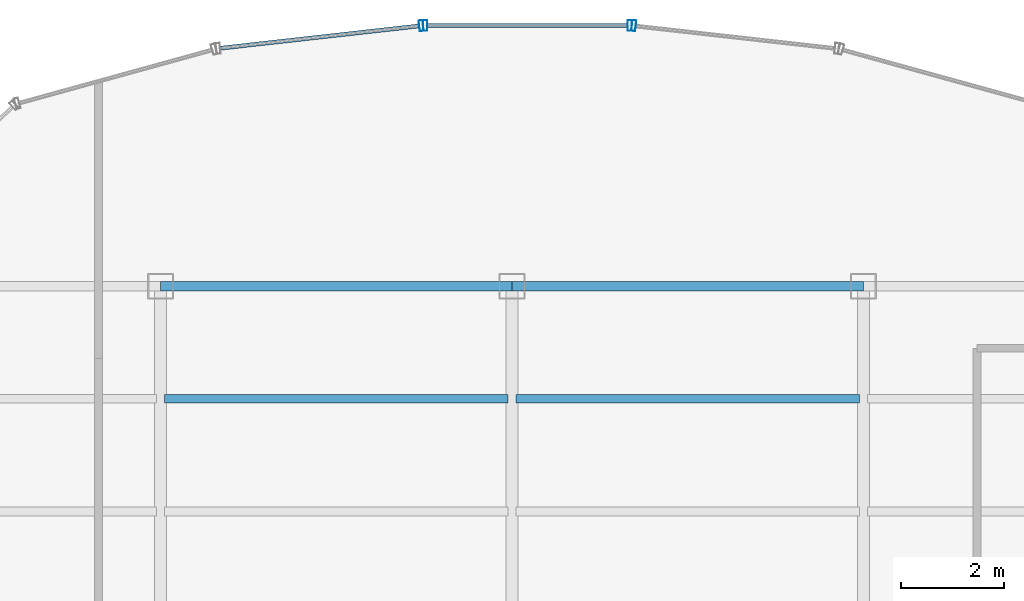
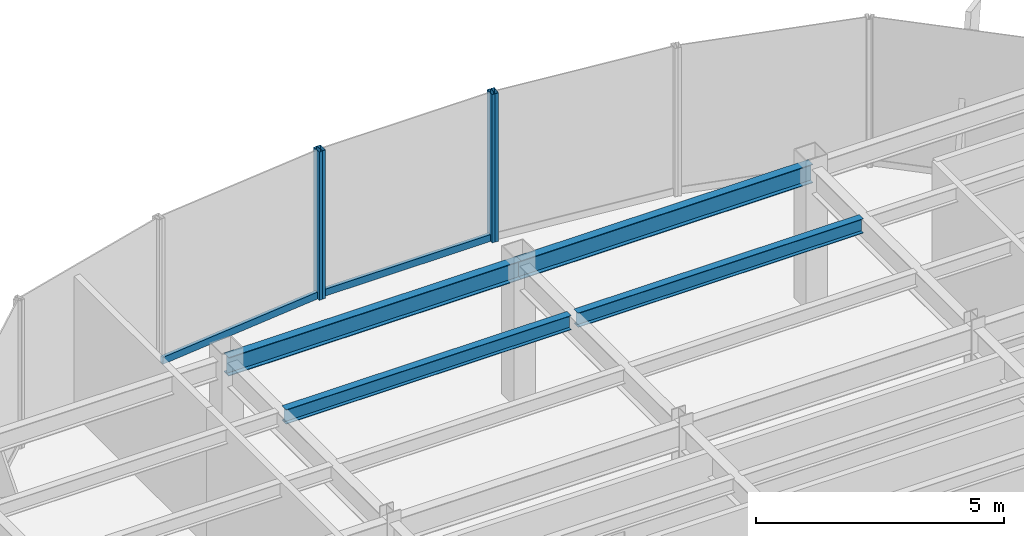
# One storey, part 13 of 22: 6 members, 4 beams, 3 elements without a shape of their own.
"""IFC4 building model written with IfcOpenShell, lengths in metres."""

from ifc_helpers import new_model, si_unit, derived_unit, direction, frame, origin, origin_2d, place, context, subcontext, project, spatial, hollow_rectangle, i_section, extrude, source, transform, mapped, material, material_profile, profile_set, type_object, element, aggregate, save


model = new_model("IFC4")

# Units and contexts
model_context = context("Model", 3, precision=1e-05, world=origin(), true_north=direction((0.0, 1.0)))
body_context = subcontext(model_context, "Body", "Model", "MODEL_VIEW")
ifc_project = project(units=[si_unit("LENGTHUNIT", "METRE"), si_unit("AREAUNIT", "SQUARE_METRE"), si_unit("VOLUMEUNIT", "CUBIC_METRE"), si_unit("PLANEANGLEUNIT", "RADIAN"), si_unit("MASSUNIT", "GRAM", prefix="KILO"), derived_unit("THERMALTRANSMITTANCEUNIT", [(si_unit("POWERUNIT", "WATT"), 1), (si_unit("LENGTHUNIT", "METRE"), -2), (si_unit("THERMODYNAMICTEMPERATUREUNIT", "KELVIN"), -1)])], contexts=[model_context])

# Site, building, storey
site_placement = place(None, origin())
site = spatial("IfcSite", under=ifc_project, at=site_placement, CompositionType="ELEMENT")
building_placement = place(site_placement, origin())
building = spatial("IfcBuilding", under=site, at=building_placement, Name="Skarnbrae Concourse Arena and Tower", CompositionType="ELEMENT")
storey_placement = place(building_placement, frame((0.0, 0.0, 199.550048828125)))
storey = spatial("IfcBuildingStorey", under=building, at=storey_placement, Name="L51", CompositionType="ELEMENT", Elevation=199.550048828125)

# Beams
ifc_material_1 = material(Name="Steel CSA G40.21 350W", Category="steel")
ifc_material_profile_1 = material_profile(ifc_material_1, i_section(OverallWidth=0.19091796875, OverallDepth=0.4599609375, WebThickness=0.010009765625, FlangeThickness=0.01611328125, at=origin_2d()), Name="W460X82")
ifc_profile_set_1 = profile_set([ifc_material_profile_1], Name="Steel CSA G40.21 350W")
beam_type_1 = type_object("IfcBeamType", Name="BM-SPAN-W460X82", PredefinedType="SPANDREL", material=ifc_profile_set_1)
shared_shape_1 = source(origin(), body_context, "Body", "SweptSolid", [
    extrude(i_section(OverallWidth=0.19091796875, OverallDepth=0.4599609375, WebThickness=0.010009765625, FlangeThickness=0.01611328125, at=origin_2d()), origin(), (0.0, 0.0, 1.0), 6.800048828125),
])
for number, where, z_axis, x_axis, name in (
    (1, (14.39990234375, 34.39990234375, 3.169921875), (1.0, 0.0, 0.0), (0.0, 1.0, 0.0), "L51 Perimeter spandrel Y34.4-2"),
    (2, (21.199951171875, 34.39990234375, 3.169921875), (1.0, 0.0, 0.0), (0.0, 1.0, 0.0), "L51 Perimeter spandrel Y34.4-3"),
):
    element("IfcBeam", number, at=place(storey_placement, frame(where, z_axis=z_axis, x_axis=x_axis)), inside=storey, type_object=beam_type_1, Name=name, PredefinedType="SPANDREL", context=body_context, shape_type="MappedRepresentation", body=[
        mapped(shared_shape_1, transform((0.0, 0.0, 0.0))),
    ])
ifc_material_profile_2 = material_profile(ifc_material_1, i_section(OverallWidth=0.1708984375, OverallDepth=0.35498046875, WebThickness=0.007080078125, FlangeThickness=0.01171875, at=origin_2d()), Name="W360X51")
ifc_profile_set_2 = profile_set([ifc_material_profile_2], Name="Steel CSA G40.21 350W")
beam_type_2 = type_object("IfcBeamType", Name="BM-JOIST-W360X51", PredefinedType="JOIST", material=ifc_profile_set_2)
shared_shape_2 = source(origin(), body_context, "Body", "SweptSolid", [
    extrude(i_section(OverallWidth=0.1708984375, OverallDepth=0.35498046875, WebThickness=0.007080078125, FlangeThickness=0.01171875, at=origin_2d()), origin(), (0.0, 0.0, 1.0), 6.64013671875),
])
beam_1_placement = place(storey_placement, frame((14.47998046875, 32.221923828125, 3.222412109375), z_axis=(1.0, 0.0, 0.0), x_axis=(0.0, 1.0, 0.0)))
element("IfcBeam", 3, at=beam_1_placement, inside=storey, type_object=beam_type_2, Name="L51 Secondary floor joist 3.2.2", PredefinedType="JOIST", context=body_context, shape_type="MappedRepresentation", body=[
    mapped(shared_shape_2, transform((0.0, 0.0, 0.0))),
])
shared_shape_3 = source(origin(), body_context, "Body", "SweptSolid", [
    extrude(i_section(OverallWidth=0.1708984375, OverallDepth=0.35498046875, WebThickness=0.007080078125, FlangeThickness=0.01171875, at=origin_2d()), origin(), (0.0, 0.0, 1.0), 6.639892578125),
])
beam_2_placement = place(storey_placement, frame((21.280029296875, 32.221923828125, 3.222412109375), z_axis=(1.0, 0.0, 0.0), x_axis=(0.0, 1.0, 0.0)))
element("IfcBeam", 4, at=beam_2_placement, inside=storey, type_object=beam_type_2, Name="L51 Secondary floor joist 3.2.3", PredefinedType="JOIST", context=body_context, shape_type="MappedRepresentation", body=[
    mapped(shared_shape_3, transform((0.0, 0.0, 0.0))),
])

# Curtain wall, member
ifc_material_2 = material(Name="Bronze anodised aluminium 6063-T6", Category="aluminium")
curtain_wall_type = type_object("IfcCurtainWallType", Name="CW-SYS-03-PORTAL", PredefinedType="USERDEFINED", material=ifc_material_2)
curtain_wall_1_placement = place(storey_placement, origin())
curtain_wall_1 = element("IfcCurtainWall", 5, at=curtain_wall_1_placement, inside=storey, type_object=curtain_wall_type, Name="L51 Unitised curtain wall CW-L51-E10", ObjectType="UNITISED CURTAIN WALL", PredefinedType="USERDEFINED")
ifc_material_profile_3 = material_profile(ifc_material_2, hollow_rectangle(XDim=0.080078125, YDim=0.2099609375, WallThickness=0.00439453125, at=origin_2d()), Name="ALU-MULL-80X210")
ifc_profile_set_3 = profile_set([ifc_material_profile_3], Name="Bronze anodised aluminium 6063-T6")
member_type_1 = type_object("IfcMemberType", Name="CWM-CW-03", PredefinedType="MULLION", material=ifc_profile_set_3)
shared_shape_4 = source(origin(), body_context, "Body", "SweptSolid", [
    extrude(hollow_rectangle(XDim=0.080078125, YDim=0.2099609375, WallThickness=0.00439453125, at=origin_2d()), origin(), (0.0, 0.0, 1.0), 3.64990234375),
])
member_1_placement = place(storey_placement, frame((23.556884765625, 39.442138671875, 0.0), z_axis=(0.0, 0.0, 1.0), x_axis=(-0.993768891873, 0.111460259941, 0.0)))
member_1 = element("IfcMember", 6, at=member_1_placement, type_object=member_type_1, Name="CW-L51-E10 Mullion 2", PredefinedType="MULLION", context=body_context, shape_type="MappedRepresentation", body=[
    mapped(shared_shape_4, transform((0.0, 0.0, 0.0))),
])
aggregate(curtain_wall_1, [member_1])

# Curtain wall, members
curtain_wall_2_placement = place(storey_placement, origin())
curtain_wall_2 = element("IfcCurtainWall", 7, at=curtain_wall_2_placement, inside=storey, type_object=curtain_wall_type, Name="L51 Unitised curtain wall CW-L51-E11", ObjectType="UNITISED CURTAIN WALL", PredefinedType="USERDEFINED")
member_2_placement = place(storey_placement, frame((23.477294921875, 39.44677734375, 0.0), z_axis=(0.0, 0.0, 1.0), x_axis=(-1.0, 0.0, 0.0)))
member_2 = element("IfcMember", 8, at=member_2_placement, type_object=member_type_1, Name="CW-L51-E11 Mullion 1", PredefinedType="MULLION", context=body_context, shape_type="MappedRepresentation", body=[
    mapped(shared_shape_4, transform((0.0, 0.0, 0.0))),
])
member_3_placement = place(storey_placement, frame((19.522705078125, 39.44677734375, 0.0), z_axis=(0.0, 0.0, 1.0), x_axis=(-1.0, 0.0, 0.0)))
member_3 = element("IfcMember", 9, at=member_3_placement, type_object=member_type_1, Name="CW-L51-E11 Mullion 2", PredefinedType="MULLION", context=body_context, shape_type="MappedRepresentation", body=[
    mapped(shared_shape_4, transform((0.0, 0.0, 0.0))),
])

curtain_wall_3_placement = place(storey_placement, origin())
curtain_wall_3 = element("IfcCurtainWall", 10, at=curtain_wall_3_placement, inside=storey, type_object=curtain_wall_type, Name="L51 Unitised curtain wall CW-L51-E12", ObjectType="UNITISED CURTAIN WALL", PredefinedType="USERDEFINED")
member_4_placement = place(storey_placement, frame((19.443115234375, 39.442138671875, 0.0), z_axis=(0.0, 0.0, 1.0), x_axis=(-0.993768891873, -0.111460259941, 0.0)))
member_4 = element("IfcMember", 11, at=member_4_placement, type_object=member_type_1, Name="CW-L51-E12 Mullion 1", PredefinedType="MULLION", context=body_context, shape_type="MappedRepresentation", body=[
    mapped(shared_shape_4, transform((0.0, 0.0, 0.0))),
])
ifc_material_profile_4 = material_profile(ifc_material_2, hollow_rectangle(XDim=0.080078125, YDim=0.169921875, WallThickness=0.00439453125, at=origin_2d()), Name="ALU-TRAN-80X170")
ifc_profile_set_4 = profile_set([ifc_material_profile_4], Name="Bronze anodised aluminium 6063-T6")
member_type_2 = type_object("IfcMemberType", Name="CWT-CW-03", PredefinedType="USERDEFINED", material=ifc_profile_set_4)
shared_shape_5 = source(origin(), body_context, "Body", "SweptSolid", [
    extrude(hollow_rectangle(XDim=0.080078125, YDim=0.169921875, WallThickness=0.00439453125, at=origin_2d()), origin(), (0.0, 0.0, 1.0), 3.873779296875),
])
member_5_placement = place(storey_placement, frame((19.4033203125, 39.437744140625, 0.0849609375), z_axis=(-0.993772558096, -0.111427567397, 0.0), x_axis=(0.111427567397, -0.993772558096, 0.0)))
member_5 = element("IfcMember", 12, at=member_5_placement, type_object=member_type_2, Name="CW-L51-E12 Transom 1", ObjectType="TRANSOM", PredefinedType="USERDEFINED", context=body_context, shape_type="MappedRepresentation", body=[
    mapped(shared_shape_5, transform((0.0, 0.0, 0.0))),
])
aggregate(curtain_wall_3, [member_4, member_5])

# Member
shared_shape_6 = source(origin(), body_context, "Body", "SweptSolid", [
    extrude(hollow_rectangle(XDim=0.080078125, YDim=0.169921875, WallThickness=0.00439453125, at=origin_2d()), origin(), (0.0, 0.0, 1.0), 3.87451171875),
])
member_6_placement = place(storey_placement, frame((23.437255859375, 39.44677734375, 0.0849609375), z_axis=(-1.0, 0.0, 0.0), x_axis=(0.0, -1.0, 0.0)))
member_6 = element("IfcMember", 13, at=member_6_placement, type_object=member_type_2, Name="CW-L51-E11 Transom 1", ObjectType="TRANSOM", PredefinedType="USERDEFINED", context=body_context, shape_type="MappedRepresentation", body=[
    mapped(shared_shape_6, transform((0.0, 0.0, 0.0))),
])

aggregate(curtain_wall_2, [member_2, member_3, member_6])

save(model, "model.ifc")
